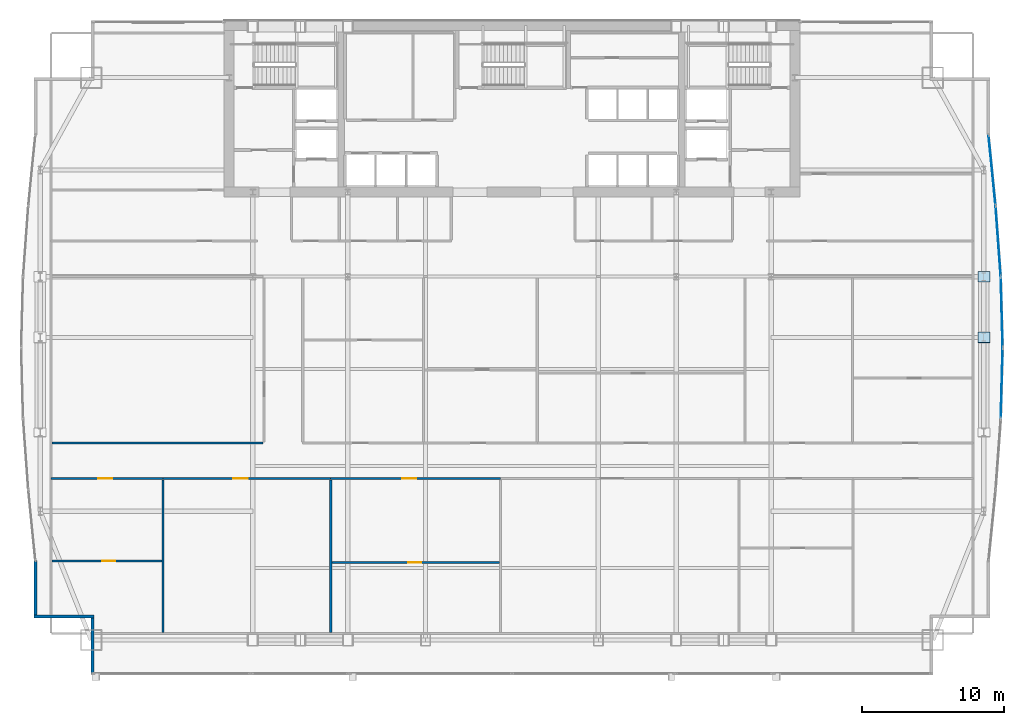
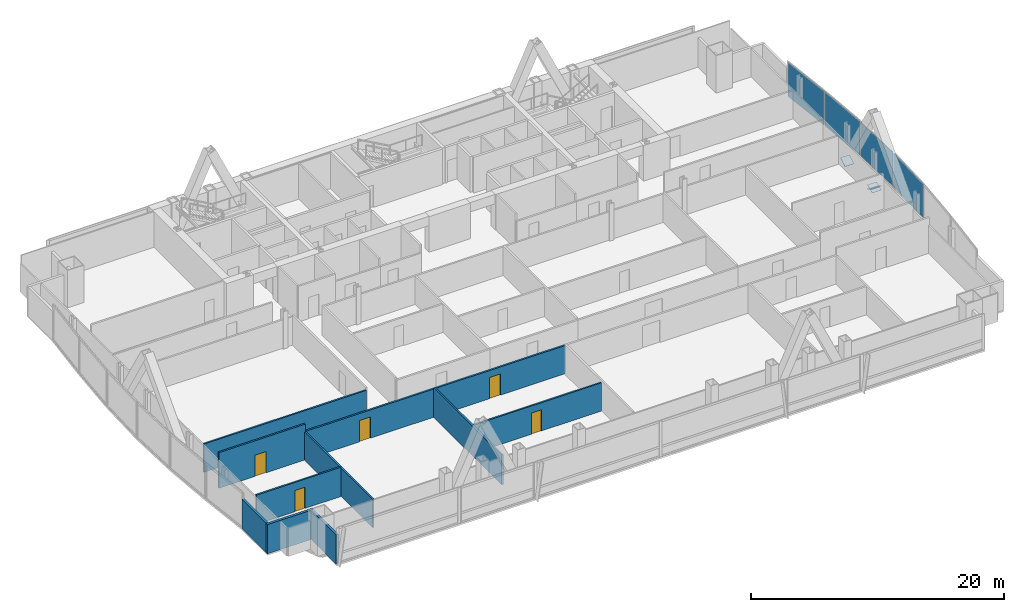
# One storey, part 25 of 31: 11 walls, 7 plates, 5 doors, 5 openings, 4 elements without a shape of their own.
"""IFC4 building model written with IfcOpenShell, lengths in metres."""

from ifc_helpers import new_model, si_unit, direction, frame, frame_2d, origin, origin_2d, place, context, subcontext, project, spatial, polyline, rectangle, outline, extrude, material, layer, layer_set, type_object, element, fill, aggregate, save


model = new_model("IFC4")

# Units and contexts
model_context = context("Model", 3, precision=1e-05, world=origin(), true_north=direction((0.0, 1.0)))
body_context = subcontext(model_context, "Body", "Model", "MODEL_VIEW")
ifc_project = project(units=[si_unit("LENGTHUNIT", "METRE"), si_unit("AREAUNIT", "SQUARE_METRE"), si_unit("VOLUMEUNIT", "CUBIC_METRE"), si_unit("PLANEANGLEUNIT", "RADIAN"), si_unit("MASSUNIT", "GRAM", prefix="KILO")], contexts=[model_context])

# Site, building, storey
site_placement = place(None, origin())
site = spatial("IfcSite", under=ifc_project, at=site_placement, CompositionType="ELEMENT")
building_placement = place(site_placement, origin())
building = spatial("IfcBuilding", under=site, at=building_placement, Name="Khoronbel Lancet Exchange", CompositionType="ELEMENT")
storey_placement = place(building_placement, frame((0.0, 0.0, 129.0)))
storey = spatial("IfcBuildingStorey", under=building, at=storey_placement, Name="L31", CompositionType="ELEMENT", Elevation=129.0)

# Curtain wall, plate
ifc_material_1 = material(Name="Low-E Solar Control Insulating Glass", Category="glass")
curtain_wall_type = type_object("IfcCurtainWallType", Name="CW-4", PredefinedType="NOTDEFINED", material=ifc_material_1)
curtain_wall_1_placement = place(storey_placement, origin())
curtain_wall_1 = element("IfcCurtainWall", 1, at=curtain_wall_1_placement, inside=storey, type_object=curtain_wall_type, Name="Unitised curtain wall CW-L31-E18", PredefinedType="NOTDEFINED")
ifc_material_2 = material(Name="Bronze-Anodised Aluminium 6063-T6", Category="aluminium")
ifc_layer_1 = layer(ifc_material_2, 0.050048828125, Name="Bronze-Anodised Aluminium 6063-T6")
ifc_layer_set_1 = layer_set([ifc_layer_1], Name="Bronze-Anodised Aluminium 6063-T6")
plate_type_1 = type_object("IfcPlateType", Name="PLT-CSP1", PredefinedType="SHEET", material=ifc_layer_set_1)
plate_1_placement = place(storey_placement, frame((70.643310546875, 38.19384765625, 0.0849609375), z_axis=(0.0, 0.0, 1.0), x_axis=(0.073012924107, -0.997330994662, 0.0)))
plate_1 = element("IfcPlate", 2, at=plate_1_placement, type_object=plate_type_1, Name="CW4 panel 1.1", PredefinedType="CURTAIN_PANEL", context=body_context, shape_type="SweptSolid", body=[
    extrude(rectangle(XDim=4.860107421875, YDim=0.0380859375, at=origin_2d()), origin(), (0.0, 0.0, 1.0), 3.27001953125),
])
aggregate(curtain_wall_1, [plate_1])

curtain_wall_2_placement = place(storey_placement, origin())
curtain_wall_2 = element("IfcCurtainWall", 3, at=curtain_wall_2_placement, inside=storey, type_object=curtain_wall_type, Name="Unitised curtain wall CW-L31-E19", PredefinedType="NOTDEFINED")
plate_2_placement = place(storey_placement, frame((70.89306640625, 33.19775390625, 0.0849609375), z_axis=(0.0, 0.0, 1.0), x_axis=(0.026794500031, -0.99964096293, 0.0)))
plate_2 = element("IfcPlate", 4, at=plate_2_placement, type_object=plate_type_1, Name="CW4 panel 1.1", PredefinedType="CURTAIN_PANEL", context=body_context, shape_type="SweptSolid", body=[
    extrude(rectangle(XDim=4.847412109375, YDim=0.0380859375, at=origin_2d()), origin(), (0.0, 0.0, 1.0), 3.27001953125),
])
aggregate(curtain_wall_2, [plate_2])

curtain_wall_3_placement = place(storey_placement, origin())
curtain_wall_3 = element("IfcCurtainWall", 5, at=curtain_wall_3_placement, inside=storey, type_object=curtain_wall_type, Name="Unitised curtain wall CW-L31-E20", PredefinedType="NOTDEFINED")
plate_3_placement = place(storey_placement, frame((70.89306640625, 28.2021484375, 0.0849609375), z_axis=(0.0, 0.0, 1.0), x_axis=(-0.026794500031, -0.99964096293, 0.0)))
plate_3 = element("IfcPlate", 6, at=plate_3_placement, type_object=plate_type_1, Name="CW4 panel 1.1", PredefinedType="CURTAIN_PANEL", context=body_context, shape_type="SweptSolid", body=[
    extrude(rectangle(XDim=4.847412109375, YDim=0.0380859375, at=origin_2d()), origin(), (0.0, 0.0, 1.0), 3.27001953125),
])
aggregate(curtain_wall_3, [plate_3])

curtain_wall_4_placement = place(storey_placement, origin())
curtain_wall_4 = element("IfcCurtainWall", 7, at=curtain_wall_4_placement, inside=storey, type_object=curtain_wall_type, Name="Unitised curtain wall CW-L31-E17", PredefinedType="NOTDEFINED")
ifc_material_3 = material(Name="Ceramic-Fritted Laminated Insulating Glass", Category="glass")
ifc_layer_2 = layer(ifc_material_3, 0.0419921875, Name="Ceramic-Fritted Laminated Insulating Glass")
ifc_layer_set_2 = layer_set([ifc_layer_2], Name="Ceramic-Fritted Laminated Insulating Glass")
plate_type_2 = type_object("IfcPlateType", Name="PLT-CWP2", PredefinedType="CURTAIN_PANEL", material=ifc_layer_set_2)
plate_4_placement = place(storey_placement, frame((70.210205078125, 43.19384765625, 0.0849609375), z_axis=(0.0, 0.0, 1.0), x_axis=(0.099497811805, -0.995037780914, 0.0)))
plate_4 = element("IfcPlate", 8, at=plate_4_placement, type_object=plate_type_2, Name="CW4 panel 1.1", PredefinedType="CURTAIN_PANEL", context=body_context, shape_type="SweptSolid", body=[
    extrude(rectangle(XDim=4.878173828125, YDim=0.0380859375, at=origin_2d()), origin(), (0.0, 0.0, 1.0), 3.27001953125),
])
aggregate(curtain_wall_4, [plate_4])

# Plates
ifc_material_4 = material(Name="Steel S460", Category="steel")
ifc_layer_3 = layer(ifc_material_4, 0.044921875, Name="Steel S460")
ifc_layer_set_3 = layer_set([ifc_layer_3], Name="Steel S460")
plate_type_3 = type_object("IfcPlateType", Name="PLT-ECP1", PredefinedType="USERDEFINED", material=ifc_layer_set_3)
for number, where, z_axis, x_axis, name in (
    (9, (70.050048828125, 31.799560546875, -0.192626953125), (0.0, 0.525523821634, 0.850778886019), (-1.0, 0.0, 0.0), "Hollow end cap plate PLT-CAP-MEM-MB-T09-E-P-L-1"),
    (10, (69.2099609375, 31.0224609375, -0.123779296875), (0.0, -0.367980392152, 0.929833550154), (1.0, 0.0, 0.0), "Hollow end cap plate PLT-CAP-MEM-MB-T09-E-P-R-1"),
    (11, (69.2099609375, 35.332763671875, -0.2041015625), (0.0, -0.510686489136, 0.859767009029), (1.0, 0.0, 0.0), "Hollow end cap plate PLT-CAP-MEM-MB-T10-E-P-R-0"),
):
    element("IfcPlate", number, at=place(storey_placement, frame(where, z_axis=z_axis, x_axis=x_axis)), inside=storey, type_object=plate_type_3, Name=name, ObjectType="STIFFENER_PLATE", PredefinedType="USERDEFINED", context=body_context, shape_type="SweptSolid", body=[
        extrude(outline(polyline([(0.0, 0.0), (0.840087890625, 0.0), (0.840087890625, 0.83984375), (0.0, 0.83984375), (0.0, 0.0)])), origin(), (0.0, 0.0, -1.0), 0.044921875),
    ])

# Walls
ifc_material_5 = material(Name="Precast concrete C40/50", Category="concrete")
ifc_layer_4 = layer(ifc_material_5, 0.25, Name="Precast concrete C40/50")
ifc_layer_set_4 = layer_set([ifc_layer_4], Name="Precast concrete C40/50")
wall_type_1 = type_object("IfcWallType", Name="WL-EXT250", PredefinedType="SOLIDWALL", material=ifc_layer_set_4)
wall_1_placement = place(storey_placement, frame((6.93994140625, 7.77001953125, 0.0), z_axis=(0.0, 0.0, 1.0), x_axis=(0.0, 1.0, 0.0)))
element("IfcWall", 12, at=wall_1_placement, inside=storey, type_object=wall_type_1, Name="Level L31 notched-corner limestone pier 01", PredefinedType="SOLIDWALL", context=body_context, shape_type="SweptSolid", body=[
    extrude(rectangle(XDim=3.909912109375, YDim=0.219970703125, at=frame_2d((1.955078125, 0.0))), origin(), (0.0, 0.0, 1.0), 2.830078125),
])
wall_2_placement = place(storey_placement, frame((7.050048828125, 11.7900390625, 0.0), z_axis=(0.0, 0.0, 1.0), x_axis=(-1.0, 0.0, 0.0)))
element("IfcWall", 13, at=wall_2_placement, inside=storey, type_object=wall_type_1, Name="Level L31 notched-corner limestone pier 02", PredefinedType="SOLIDWALL", context=body_context, shape_type="SweptSolid", body=[
    extrude(rectangle(XDim=4.219970703125, YDim=0.219970703125, at=frame_2d((2.10986328125, 0.0))), origin(), (0.0, 0.0, 1.0), 2.830078125),
])
wall_3_placement = place(storey_placement, frame((2.93994140625, 11.89990234375, 0.0), z_axis=(0.0, 0.0, 1.0), x_axis=(0.0, 1.0, 0.0)))
element("IfcWall", 14, at=wall_3_placement, inside=storey, type_object=wall_type_1, Name="Level L31 notched-corner limestone pier 03", PredefinedType="SOLIDWALL", context=body_context, shape_type="SweptSolid", body=[
    extrude(rectangle(XDim=3.82470703125, YDim=0.219970703125, at=frame_2d((1.912353515625, 0.0))), origin(), (0.0, 0.0, 1.0), 2.830078125),
])

# Wall, opening, door
ifc_material_6 = material(Name="Acoustic Metal-Stud & Mineral-Wool Gypsum Partition 120 mm", Category="gypsum")
ifc_layer_5 = layer(ifc_material_6, 0.1201171875, Name="Acoustic Metal-Stud & Mineral-Wool Gypsum Partition 120 mm")
ifc_layer_set_5 = layer_set([ifc_layer_5], Name="Acoustic Metal-Stud & Mineral-Wool Gypsum Partition 120 mm")
wall_type_2 = type_object("IfcWallType", Name="WL-PRT120", PredefinedType="PARTITIONING", material=ifc_layer_set_5)
wall_4_placement = place(storey_placement, frame((4.094970703125, 15.7021484375, 0.0), z_axis=(0.0, 0.0, 1.0), x_axis=(1.0, 0.0, 0.0)))
wall_4 = element("IfcWall", 15, at=wall_4_placement, inside=storey, type_object=wall_type_2, Name="Level L31 interior partition PW-Z2S-H1", PredefinedType="PARTITIONING", context=body_context, shape_type="SweptSolid", body=[
    extrude(rectangle(XDim=7.739013671875, YDim=0.14990234375, at=frame_2d((3.86962890625, 0.0))), origin(), (0.0, 0.0, 1.0), 2.830078125),
])
opening_1_placement = place(wall_4_placement, frame((3.5478515625, 0.0, 0.0)))
opening_1 = element("IfcOpeningElement", 16, at=opening_1_placement, cuts=wall_4, Name="Opening D5", PredefinedType="OPENING", context=body_context, shape_type="SweptSolid", body=[
    extrude(rectangle(XDim=0.89990234375, YDim=2.050048828125, at=frame_2d((0.449951171875, 1.02490234375))), frame((0.0, 0.0849609375, 0.0), z_axis=(0.0, -1.0, 0.0), x_axis=(1.0, 0.0, 0.0)), (0.0, 0.0, 1.0), 0.169921875),
])
ifc_material_7 = material(Name="Acoustic Timber Pantry & Support Door", Category="wood")
door_type_1 = type_object("IfcDoorType", Name="DR-D5", OperationType="NOTDEFINED", PredefinedType="DOOR", material=ifc_material_7)
door_1_placement = place(opening_1_placement, origin())
door_1 = element("IfcDoor", 17, at=door_1_placement, inside=storey, type_object=door_type_1, Name="Z2S inner door 1 L31-1", OperationType="SINGLE_SWING_LEFT", OverallHeight=2.050048828125, OverallWidth=0.89990234375, PredefinedType="DOOR", context=body_context, shape_type="SweptSolid", body=[
    extrude(rectangle(XDim=0.89990234375, YDim=2.050048828125, at=frame_2d((0.449951171875, 1.02490234375))), frame((0.0, 0.02490234375, 0.0), z_axis=(0.0, -1.0, 0.0), x_axis=(1.0, 0.0, 0.0)), (0.0, 0.0, 1.0), 0.050048828125),
])
fill(opening_1, door_1)

wall_5_placement = place(storey_placement, frame((23.78076171875, 15.603271484375, 0.0), z_axis=(0.0, 0.0, 1.0), x_axis=(1.0, 0.0, 0.0)))
wall_5 = element("IfcWall", 18, at=wall_5_placement, inside=storey, type_object=wall_type_2, Name="Level L31 interior partition PW-Z2S-H3", PredefinedType="PARTITIONING", context=body_context, shape_type="SweptSolid", body=[
    extrude(rectangle(XDim=11.783935546875, YDim=0.14990234375, at=frame_2d((5.89208984375, 0.0))), origin(), (0.0, 0.0, 1.0), 2.72998046875),
])
opening_2_placement = place(wall_5_placement, frame((5.374755859375, 0.0, 0.0)))
opening_2 = element("IfcOpeningElement", 19, at=opening_2_placement, cuts=wall_5, Name="Opening D5", PredefinedType="OPENING", context=body_context, shape_type="SweptSolid", body=[
    extrude(rectangle(XDim=0.89990234375, YDim=2.050048828125, at=frame_2d((0.449951171875, 1.02490234375))), frame((0.0, 0.0849609375, 0.0), z_axis=(0.0, -1.0, 0.0), x_axis=(1.0, 0.0, 0.0)), (0.0, 0.0, 1.0), 0.169921875),
])
door_2_placement = place(opening_2_placement, origin())
door_2 = element("IfcDoor", 20, at=door_2_placement, inside=storey, type_object=door_type_1, Name="Z2S inner door 3 L31-1", OperationType="SINGLE_SWING_RIGHT", OverallHeight=2.050048828125, OverallWidth=0.89990234375, PredefinedType="DOOR", context=body_context, shape_type="SweptSolid", body=[
    extrude(rectangle(XDim=0.89990234375, YDim=2.050048828125, at=frame_2d((0.449951171875, 1.02490234375))), frame((0.0, 0.02490234375, 0.0), z_axis=(0.0, -1.0, 0.0), x_axis=(1.0, 0.0, 0.0)), (0.0, 0.0, 1.0), 0.050048828125),
])
fill(opening_2, door_2)

# Walls
ifc_material_8 = material(Name="Fire-Rated Twin-Stud Acoustic Gypsum Partition 150 mm", Category="gypsum")
ifc_layer_6 = layer(ifc_material_8, 0.14990234375, Name="Fire-Rated Twin-Stud Acoustic Gypsum Partition 150 mm")
ifc_layer_set_6 = layer_set([ifc_layer_6], Name="Fire-Rated Twin-Stud Acoustic Gypsum Partition 150 mm")
wall_type_3 = type_object("IfcWallType", Name="WL-PRT150C", PredefinedType="PARTITIONING", material=ifc_layer_set_6)
wall_6_placement = place(storey_placement, frame((11.9140625, 10.6650390625, 0.0), z_axis=(0.0, 0.0, 1.0), x_axis=(0.0, 1.0, 0.0)))
element("IfcWall", 21, at=wall_6_placement, inside=storey, type_object=wall_type_3, Name="Level L31 interior partition PW-Z2S-V1", PredefinedType="PARTITIONING", context=body_context, shape_type="SweptSolid", body=[
    extrude(rectangle(XDim=10.75, YDim=0.14990234375, at=frame_2d((5.375, 0.0))), origin(), (0.0, 0.0, 1.0), 2.72998046875),
])
wall_7_placement = place(storey_placement, frame((23.70068359375, 10.6650390625, 0.0), z_axis=(0.0, 0.0, 1.0), x_axis=(0.0, 1.0, 0.0)))
element("IfcWall", 22, at=wall_7_placement, inside=storey, type_object=wall_type_3, Name="Level L31 interior partition PW-Z2S-V2", PredefinedType="PARTITIONING", context=body_context, shape_type="SweptSolid", body=[
    extrude(rectangle(XDim=10.75, YDim=0.14990234375, at=frame_2d((5.375, 0.0))), origin(), (0.0, 0.0, 1.0), 2.8798828125),
])
wall_8_placement = place(storey_placement, frame((4.094970703125, 24.0, 0.0), z_axis=(0.0, 0.0, 1.0), x_axis=(1.0, 0.0, 0.0)))
element("IfcWall", 23, at=wall_8_placement, inside=storey, type_object=wall_type_3, Name="Level L31 interior partition PW-Z2-WS", PredefinedType="PARTITIONING", context=body_context, shape_type="SweptSolid", body=[
    extrude(rectangle(XDim=14.844970703125, YDim=0.14990234375, at=frame_2d((7.42236328125, 0.0))), origin(), (0.0, 0.0, 1.0), 2.72998046875),
])

# Wall, opening, door
ifc_material_9 = material(Name="Fire-Rated Twin-Stud Acoustic Gypsum Partition 160 mm", Category="gypsum")
ifc_layer_7 = layer(ifc_material_9, 0.159912109375, Name="Fire-Rated Twin-Stud Acoustic Gypsum Partition 160 mm")
ifc_layer_set_7 = layer_set([ifc_layer_7], Name="Fire-Rated Twin-Stud Acoustic Gypsum Partition 160 mm")
wall_type_4 = type_object("IfcWallType", Name="WL-PRT160C", PredefinedType="PARTITIONING", material=ifc_layer_set_7)
wall_9_placement = place(storey_placement, frame((4.030029296875, 21.5, 0.0), z_axis=(0.0, 0.0, 1.0), x_axis=(1.0, 0.0, 0.0)))
wall_9 = element("IfcWall", 24, at=wall_9_placement, inside=storey, type_object=wall_type_4, Name="Level L31 interior partition PW-Z2S-COR1", PredefinedType="PARTITIONING", context=body_context, shape_type="SweptSolid", body=[
    extrude(rectangle(XDim=7.884033203125, YDim=0.159912109375, at=frame_2d((3.94189453125, 0.0))), origin(), (0.0, 0.0, 1.0), 3.43994140625),
])
opening_3_placement = place(wall_9_placement, frame((3.311279296875, 0.0, 0.0)))
opening_3 = element("IfcOpeningElement", 25, at=opening_3_placement, cuts=wall_9, Name="Opening D2", PredefinedType="OPENING", context=body_context, shape_type="SweptSolid", body=[
    extrude(rectangle(XDim=1.0, YDim=2.050048828125, at=frame_2d((0.5, 1.02490234375))), frame((0.0, 0.08984375, 0.0), z_axis=(0.0, -1.0, 0.0), x_axis=(1.0, 0.0, 0.0)), (0.0, 0.0, 1.0), 0.179931640625),
])
ifc_material_10 = material(Name="Acoustic Veneered Timber & Bronze Frame Door", Category="wood")
door_type_2 = type_object("IfcDoorType", Name="DR-D2", OperationType="NOTDEFINED", PredefinedType="DOOR", material=ifc_material_10)
door_3_placement = place(opening_3_placement, origin())
door_3 = element("IfcDoor", 26, at=door_3_placement, inside=storey, type_object=door_type_2, Name="Z2S bay 1 door L31-1", OperationType="SINGLE_SWING_RIGHT", OverallHeight=2.050048828125, OverallWidth=1.0, PredefinedType="DOOR", context=body_context, shape_type="SweptSolid", body=[
    extrude(rectangle(XDim=1.0, YDim=2.050048828125, at=frame_2d((0.5, 1.02490234375))), frame((0.0, 0.02490234375, 0.0), z_axis=(0.0, -1.0, 0.0), x_axis=(1.0, 0.0, 0.0)), (0.0, 0.0, 1.0), 0.050048828125),
])
fill(opening_3, door_3)

wall_10_placement = place(storey_placement, frame((11.9140625, 21.5, 0.0), z_axis=(0.0, 0.0, 1.0), x_axis=(1.0, 0.0, 0.0)))
wall_10 = element("IfcWall", 27, at=wall_10_placement, inside=storey, type_object=wall_type_4, Name="Level L31 interior partition PW-Z2S-COR2", PredefinedType="PARTITIONING", context=body_context, shape_type="SweptSolid", body=[
    extrude(rectangle(XDim=11.78662109375, YDim=0.159912109375, at=frame_2d((5.893310546875, 0.0))), origin(), (0.0, 0.0, 1.0), 2.72998046875),
])
opening_4_placement = place(wall_10_placement, frame((4.950439453125, 0.0, 0.0)))
opening_4 = element("IfcOpeningElement", 28, at=opening_4_placement, cuts=wall_10, Name="Opening D2", PredefinedType="OPENING", context=body_context, shape_type="SweptSolid", body=[
    extrude(rectangle(XDim=1.0, YDim=2.050048828125, at=frame_2d((0.5, 1.02490234375))), frame((0.0, 0.08984375, 0.0), z_axis=(0.0, -1.0, 0.0), x_axis=(1.0, 0.0, 0.0)), (0.0, 0.0, 1.0), 0.179931640625),
])
door_4_placement = place(opening_4_placement, origin())
door_4 = element("IfcDoor", 29, at=door_4_placement, inside=storey, type_object=door_type_2, Name="Z2S bay 2 door L31-1", OperationType="SINGLE_SWING_RIGHT", OverallHeight=2.050048828125, OverallWidth=1.0, PredefinedType="DOOR", context=body_context, shape_type="SweptSolid", body=[
    extrude(rectangle(XDim=1.0, YDim=2.050048828125, at=frame_2d((0.5, 1.02490234375))), frame((0.0, 0.02490234375, 0.0), z_axis=(0.0, -1.0, 0.0), x_axis=(1.0, 0.0, 0.0)), (0.0, 0.0, 1.0), 0.050048828125),
])
fill(opening_4, door_4)

wall_11_placement = place(storey_placement, frame((23.70068359375, 21.5, 0.0), z_axis=(0.0, 0.0, 1.0), x_axis=(1.0, 0.0, 0.0)))
wall_11 = element("IfcWall", 30, at=wall_11_placement, inside=storey, type_object=wall_type_4, Name="Level L31 interior partition PW-Z2S-COR3", PredefinedType="PARTITIONING", context=body_context, shape_type="SweptSolid", body=[
    extrude(rectangle(XDim=11.94384765625, YDim=0.159912109375, at=frame_2d((5.971923828125, 0.0))), origin(), (0.0, 0.0, 1.0), 2.72998046875),
])
opening_5_placement = place(wall_11_placement, frame((5.016357421875, 0.0, 0.0)))
opening_5 = element("IfcOpeningElement", 31, at=opening_5_placement, cuts=wall_11, Name="Opening D2", PredefinedType="OPENING", context=body_context, shape_type="SweptSolid", body=[
    extrude(rectangle(XDim=1.0, YDim=2.050048828125, at=frame_2d((0.5, 1.02490234375))), frame((0.0, 0.08984375, 0.0), z_axis=(0.0, -1.0, 0.0), x_axis=(1.0, 0.0, 0.0)), (0.0, 0.0, 1.0), 0.179931640625),
])
door_5_placement = place(opening_5_placement, origin())
door_5 = element("IfcDoor", 32, at=door_5_placement, inside=storey, type_object=door_type_2, Name="Z2S bay 3 door L31-1", OperationType="SINGLE_SWING_LEFT", OverallHeight=2.050048828125, OverallWidth=1.0, PredefinedType="DOOR", context=body_context, shape_type="SweptSolid", body=[
    extrude(rectangle(XDim=1.0, YDim=2.050048828125, at=frame_2d((0.5, 1.02490234375))), frame((0.0, 0.02490234375, 0.0), z_axis=(0.0, -1.0, 0.0), x_axis=(1.0, 0.0, 0.0)), (0.0, 0.0, 1.0), 0.050048828125),
])
fill(opening_5, door_5)

save(model, "model.ifc")
